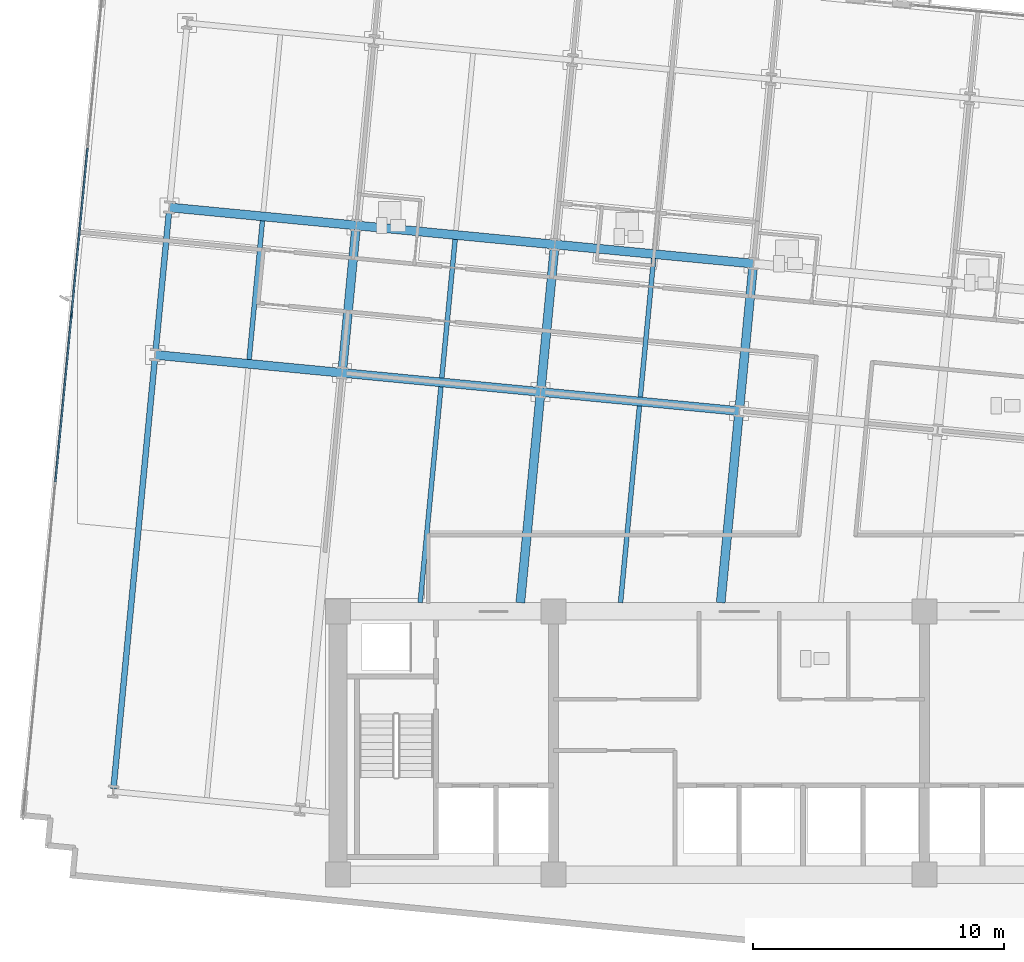
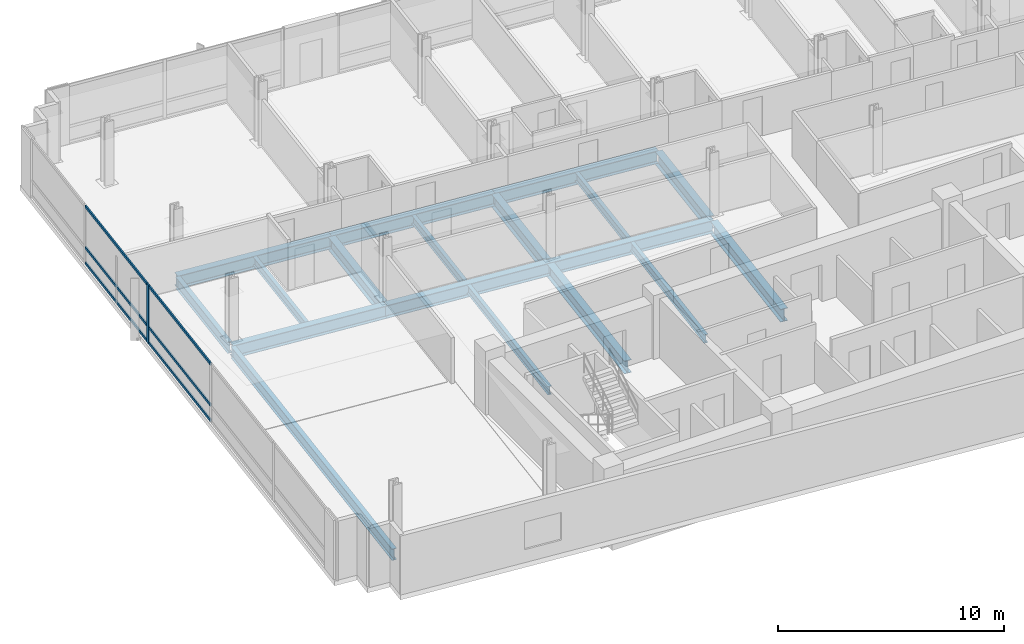
# One storey, part 4 of 17: 18 beams, 7 members, 1 element without a shape of its own.
"""IFC4 building model written with IfcOpenShell, lengths in metres."""

from ifc_helpers import new_model, si_unit, direction, frame, origin, origin_2d, place, context, subcontext, project, spatial, rectangle, i_section, extrude, material, material_profile, profile_set, type_object, element, aggregate, save


model = new_model("IFC4")

# Units and contexts
model_context = context("Model", 3, precision=1e-05, world=origin(), true_north=direction((0.0, 1.0)))
body_context = subcontext(model_context, "Body", "Model", "MODEL_VIEW")
ifc_project = project(units=[si_unit("LENGTHUNIT", "METRE"), si_unit("AREAUNIT", "SQUARE_METRE"), si_unit("VOLUMEUNIT", "CUBIC_METRE"), si_unit("PLANEANGLEUNIT", "RADIAN"), si_unit("MASSUNIT", "GRAM", prefix="KILO")], contexts=[model_context])

# Site, building, storey
site_placement = place(None, origin())
site = spatial("IfcSite", under=ifc_project, at=site_placement, CompositionType="ELEMENT")
building_placement = place(site_placement, origin())
building = spatial("IfcBuilding", under=site, at=building_placement, Name="Solmavex Isthmus Hotel", CompositionType="ELEMENT")
storey_placement = place(building_placement, frame((0.0, 0.0, 146.25)))
storey = spatial("IfcBuildingStorey", under=building, at=storey_placement, Name="L39", CompositionType="ELEMENT", Elevation=146.25)

# Beams
ifc_material_1 = material(Name="Steel ASTM A992 Grade 50", Category="steel")
ifc_material_profile_1 = material_profile(ifc_material_1, i_section(OverallWidth=0.354736328125, OverallDepth=0.695556640625, WebThickness=0.015380859375, FlangeThickness=0.02490234375, FilletRadius=0.017822265625, at=origin_2d()), Name="W27X146")
ifc_profile_set_1 = profile_set([ifc_material_profile_1], Name="Steel ASTM A992 Grade 50")
beam_type_1 = type_object("IfcBeamType", Name="BM-BG-W27X146", PredefinedType="BEAM", material=ifc_profile_set_1)
beam_1_placement = place(storey_placement, frame((-23.291015625, 7.733154296875, -0.607666015625), z_axis=(0.995395279593, -0.095855293875, 0.0), x_axis=(0.095855293875, 0.995395279593, 0.0)))
element("IfcBeam", 1, at=beam_1_placement, inside=storey, type_object=beam_type_1, Name="Floor Girder L39-UG03", PredefinedType="BEAM", context=body_context, shape_type="SweptSolid", body=[
    extrude(i_section(OverallWidth=0.354736328125, OverallDepth=0.695556640625, WebThickness=0.015380859375, FlangeThickness=0.02490234375, FilletRadius=0.017822265625, at=origin_2d()), origin(), (0.0, 0.0, 1.0), 7.488037109375),
])
beam_2_placement = place(storey_placement, frame((-15.83740234375, 7.015380859375, -0.607666015625), z_axis=(0.995397158178, -0.095835783981, 0.0), x_axis=(0.095835783981, 0.995397158178, 0.0)))
element("IfcBeam", 2, at=beam_2_placement, inside=storey, type_object=beam_type_1, Name="Floor Girder L39-UG04", PredefinedType="BEAM", context=body_context, shape_type="SweptSolid", body=[
    extrude(i_section(OverallWidth=0.354736328125, OverallDepth=0.695556640625, WebThickness=0.015380859375, FlangeThickness=0.02490234375, FilletRadius=0.017822265625, at=origin_2d()), origin(), (0.0, 0.0, 1.0), 7.955810546875),
])
beam_3_placement = place(storey_placement, frame((-7.918212890625, 6.2529296875, -0.607666015625), z_axis=(0.995394512348, -0.095863260885, 0.0), x_axis=(0.095863260885, 0.995394512348, 0.0)))
element("IfcBeam", 3, at=beam_3_placement, inside=storey, type_object=beam_type_1, Name="Floor Girder L39-UG05", PredefinedType="BEAM", context=body_context, shape_type="SweptSolid", body=[
    extrude(i_section(OverallWidth=0.354736328125, OverallDepth=0.695556640625, WebThickness=0.015380859375, FlangeThickness=0.02490234375, FilletRadius=0.017822265625, at=origin_2d()), origin(), (0.0, 0.0, 1.0), 7.9560546875),
])
beam_4_placement = place(storey_placement, frame((-22.724853515625, 13.614013671875, -0.607666015625), z_axis=(0.995395279593, -0.095855293875, 0.0), x_axis=(0.095855293875, 0.995395279593, 0.0)))
element("IfcBeam", 4, at=beam_4_placement, inside=storey, type_object=beam_type_1, Name="Floor Girder L39-UG09", PredefinedType="BEAM", context=body_context, shape_type="SweptSolid", body=[
    extrude(i_section(OverallWidth=0.354736328125, OverallDepth=0.695556640625, WebThickness=0.015380859375, FlangeThickness=0.02490234375, FilletRadius=0.017822265625, at=origin_2d()), origin(), (0.0, 0.0, 1.0), 7.488037109375),
])
for number, where, z_axis, x_axis, name in (
    (5, (-15.271240234375, 12.896240234375, -0.607666015625), (0.995397440011, -0.095832856685, 0.0), (0.095832856685, 0.995397440011, 0.0), "Floor Girder L39-UG10"),
    (6, (-7.351806640625, 12.1337890625, -0.607666015625), (0.995394512348, -0.095863260885, 0.0), (0.095863260885, 0.995394512348, 0.0), "Floor Girder L39-UG11"),
):
    element("IfcBeam", number, at=place(storey_placement, frame(where, z_axis=z_axis, x_axis=x_axis)), inside=storey, type_object=beam_type_1, Name=name, PredefinedType="BEAM", context=body_context, shape_type="SweptSolid", body=[
        extrude(i_section(OverallWidth=0.354736328125, OverallDepth=0.695556640625, WebThickness=0.015380859375, FlangeThickness=0.02490234375, FilletRadius=0.017822265625, at=origin_2d()), origin(), (0.0, 0.0, 1.0), 7.9560546875),
    ])
beam_5_placement = place(storey_placement, frame((-15.820556640625, 7.19189453125, -0.607666015625), z_axis=(0.095838058801, 0.995396939158, 0.0), x_axis=(-0.995396939158, 0.095838058801, 0.0)))
element("IfcBeam", 7, at=beam_5_placement, inside=storey, type_object=beam_type_1, Name="Floor Beam L39-VG25", PredefinedType="BEAM", context=body_context, shape_type="SweptSolid", body=[
    extrude(i_section(OverallWidth=0.354736328125, OverallDepth=0.695556640625, WebThickness=0.015380859375, FlangeThickness=0.02490234375, FilletRadius=0.017822265625, at=origin_2d()), origin(), (0.0, 0.0, 1.0), 5.553466796875),
])
beam_6_placement = place(storey_placement, frame((-8.727294921875, -2.14990234375, -0.607666015625), z_axis=(0.095861573524, 0.995394674851, 0.0), x_axis=(-0.995394674851, 0.095861573524, 0.0)))
element("IfcBeam", 8, at=beam_6_placement, inside=storey, type_object=beam_type_1, Name="Floor Beam L39-VG27", PredefinedType="BEAM", context=body_context, shape_type="SweptSolid", body=[
    extrude(i_section(OverallWidth=0.354736328125, OverallDepth=0.695556640625, WebThickness=0.015380859375, FlangeThickness=0.02490234375, FilletRadius=0.017822265625, at=origin_2d()), origin(), (0.0, 0.0, 1.0), 8.264404296875),
])
beam_7_placement = place(storey_placement, frame((-7.901123046875, 6.429443359375, -0.607666015625), z_axis=(0.095842252862, 0.99539653534, 0.0), x_axis=(-0.99539653534, 0.095842252862, 0.0)))
element("IfcBeam", 9, at=beam_7_placement, inside=storey, type_object=beam_type_1, Name="Floor Beam L39-VG28", PredefinedType="BEAM", context=body_context, shape_type="SweptSolid", body=[
    extrude(i_section(OverallWidth=0.354736328125, OverallDepth=0.695556640625, WebThickness=0.015380859375, FlangeThickness=0.02490234375, FilletRadius=0.017822265625, at=origin_2d()), origin(), (0.0, 0.0, 1.0), 5.55322265625),
])
beam_8_placement = place(storey_placement, frame((-0.734375, -2.14990234375, -0.607666015625), z_axis=(0.095856963455, 0.995395118813, 0.0), x_axis=(-0.995395118813, 0.095856963455, 0.0)))
element("IfcBeam", 10, at=beam_8_placement, inside=storey, type_object=beam_type_1, Name="Floor Beam L39-VG30", PredefinedType="BEAM", context=body_context, shape_type="SweptSolid", body=[
    extrude(i_section(OverallWidth=0.354736328125, OverallDepth=0.695556640625, WebThickness=0.015380859375, FlangeThickness=0.02490234375, FilletRadius=0.017822265625, at=origin_2d()), origin(), (0.0, 0.0, 1.0), 7.498046875),
])
beam_9_placement = place(storey_placement, frame((0.018310546875, 5.6669921875, -0.607666015625), z_axis=(0.095842252862, 0.99539653534, 0.0), x_axis=(-0.99539653534, 0.095842252862, 0.0)))
element("IfcBeam", 11, at=beam_9_placement, inside=storey, type_object=beam_type_1, Name="Floor Beam L39-VG31", PredefinedType="BEAM", context=body_context, shape_type="SweptSolid", body=[
    extrude(i_section(OverallWidth=0.354736328125, OverallDepth=0.695556640625, WebThickness=0.015380859375, FlangeThickness=0.02490234375, FilletRadius=0.017822265625, at=origin_2d()), origin(), (0.0, 0.0, 1.0), 5.55322265625),
])
ifc_material_profile_2 = material_profile(ifc_material_1, i_section(OverallWidth=0.1904296875, OverallDepth=0.456787109375, WebThickness=0.009033203125, FlangeThickness=0.014404296875, FilletRadius=0.0126953125, at=origin_2d()), Name="W18X50")
ifc_profile_set_2 = profile_set([ifc_material_profile_2], Name="Steel ASTM A992 Grade 50")
beam_type_2 = type_object("IfcBeamType", Name="BM-BJ-W18X50", PredefinedType="JOIST", material=ifc_profile_set_2)
beam_10_placement = place(storey_placement, frame((-19.547119140625, 7.55078125, -0.488525390625), z_axis=(0.095842252862, 0.99539653534, 0.0), x_axis=(-0.99539653534, 0.095842252862, 0.0)))
element("IfcBeam", 12, at=beam_10_placement, inside=storey, type_object=beam_type_2, Name="Secondary Floor Joist L39-J02", PredefinedType="JOIST", context=body_context, shape_type="SweptSolid", body=[
    extrude(i_section(OverallWidth=0.1904296875, OverallDepth=0.456787109375, WebThickness=0.009033203125, FlangeThickness=0.014404296875, FilletRadius=0.0126953125, at=origin_2d()), origin(), (0.0, 0.0, 1.0), 5.55322265625),
])
beam_11_placement = place(storey_placement, frame((-12.7236328125, -2.14990234375, -0.488525390625), z_axis=(0.095852279322, 0.995395569886, 0.0), x_axis=(-0.995395569886, 0.095852279322, 0.0)))
element("IfcBeam", 13, at=beam_11_placement, inside=storey, type_object=beam_type_2, Name="Secondary Floor Joist L39-J04", PredefinedType="JOIST", context=body_context, shape_type="SweptSolid", body=[
    extrude(i_section(OverallWidth=0.1904296875, OverallDepth=0.456787109375, WebThickness=0.009033203125, FlangeThickness=0.014404296875, FilletRadius=0.0126953125, at=origin_2d()), origin(), (0.0, 0.0, 1.0), 8.647216796875),
])
beam_12_placement = place(storey_placement, frame((-11.86083984375, 6.810791015625, -0.488525390625), z_axis=(0.095842252862, 0.99539653534, 0.0), x_axis=(-0.99539653534, 0.095842252862, 0.0)))
element("IfcBeam", 14, at=beam_12_placement, inside=storey, type_object=beam_type_2, Name="Secondary Floor Joist L39-J05", PredefinedType="JOIST", context=body_context, shape_type="SweptSolid", body=[
    extrude(i_section(OverallWidth=0.1904296875, OverallDepth=0.456787109375, WebThickness=0.009033203125, FlangeThickness=0.014404296875, FilletRadius=0.0126953125, at=origin_2d()), origin(), (0.0, 0.0, 1.0), 5.55322265625),
])
beam_13_placement = place(storey_placement, frame((-4.730712890625, -2.14990234375, -0.488525390625), z_axis=(0.09584403416, 0.995396363825, 0.0), x_axis=(-0.995396363825, 0.09584403416, 0.0)))
element("IfcBeam", 15, at=beam_13_placement, inside=storey, type_object=beam_type_2, Name="Secondary Floor Joist L39-J07", PredefinedType="JOIST", context=body_context, shape_type="SweptSolid", body=[
    extrude(i_section(OverallWidth=0.1904296875, OverallDepth=0.456787109375, WebThickness=0.009033203125, FlangeThickness=0.014404296875, FilletRadius=0.0126953125, at=origin_2d()), origin(), (0.0, 0.0, 1.0), 7.88134765625),
])
beam_14_placement = place(storey_placement, frame((-3.94140625, 6.048095703125, -0.488525390625), z_axis=(0.095838058801, 0.995396939158, 0.0), x_axis=(-0.995396939158, 0.095838058801, 0.0)))
element("IfcBeam", 16, at=beam_14_placement, inside=storey, type_object=beam_type_2, Name="Secondary Floor Joist L39-J08", PredefinedType="JOIST", context=body_context, shape_type="SweptSolid", body=[
    extrude(i_section(OverallWidth=0.1904296875, OverallDepth=0.456787109375, WebThickness=0.009033203125, FlangeThickness=0.014404296875, FilletRadius=0.0126953125, at=origin_2d()), origin(), (0.0, 0.0, 1.0), 5.553466796875),
])
ifc_material_profile_3 = material_profile(ifc_material_1, i_section(OverallWidth=0.230224609375, OverallDepth=0.617431640625, WebThickness=0.01318359375, FlangeThickness=0.022216796875, FilletRadius=0.01513671875, at=origin_2d()), Name="W24X94")
ifc_profile_set_3 = profile_set([ifc_material_profile_3], Name="Steel ASTM A992 Grade 50")
beam_type_3 = type_object("IfcBeamType", Name="BM-SP-W24X94", PredefinedType="SPANDREL", material=ifc_profile_set_3)
beam_15_placement = place(storey_placement, frame((-24.957275390625, -9.571533203125, -0.56884765625), z_axis=(0.095840821687, 0.99539667314, 0.0), x_axis=(-0.99539667314, 0.095840821687, 0.0)))
element("IfcBeam", 17, at=beam_15_placement, inside=storey, type_object=beam_type_3, Name="Floor Beam L39-VG21", PredefinedType="SPANDREL", context=body_context, shape_type="SweptSolid", body=[
    extrude(i_section(OverallWidth=0.230224609375, OverallDepth=0.617431640625, WebThickness=0.01318359375, FlangeThickness=0.022216796875, FilletRadius=0.01513671875, at=origin_2d()), origin(), (0.0, 0.0, 1.0), 17.207275390625),
])
beam_16_placement = place(storey_placement, frame((-23.27392578125, 7.90966796875, -0.56884765625), z_axis=(0.095842252862, 0.99539653534, 0.0), x_axis=(-0.99539653534, 0.095842252862, 0.0)))
element("IfcBeam", 18, at=beam_16_placement, inside=storey, type_object=beam_type_3, Name="Floor Beam L39-VG22", PredefinedType="SPANDREL", context=body_context, shape_type="SweptSolid", body=[
    extrude(i_section(OverallWidth=0.230224609375, OverallDepth=0.617431640625, WebThickness=0.01318359375, FlangeThickness=0.022216796875, FilletRadius=0.01513671875, at=origin_2d()), origin(), (0.0, 0.0, 1.0), 5.55322265625),
])

# Curtain wall, members
ifc_material_2 = material(Name="Aluminium alloy 6063-T6", Category="aluminium")
curtain_wall_type = type_object("IfcCurtainWallType", Name="CW-SYS-03", PredefinedType="NOTDEFINED", material=ifc_material_2)
curtain_wall_placement = place(storey_placement, origin())
curtain_wall = element("IfcCurtainWall", 19, at=curtain_wall_placement, inside=storey, type_object=curtain_wall_type, Name="Stick Curtain Wall CWL-L39-W1", PredefinedType="NOTDEFINED")
ifc_material_profile_4 = material_profile(ifc_material_2, rectangle(XDim=0.070068359375, YDim=0.179931640625, at=origin_2d()), Name="CWM-70X180")
ifc_profile_set_4 = profile_set([ifc_material_profile_4], Name="Aluminium alloy 6063-T6")
member_type_1 = type_object("IfcMemberType", Name="CW-SYS-03-MUL", PredefinedType="MULLION", material=ifc_profile_set_4)
member_1_placement = place(storey_placement, frame((-26.63427734375, 9.32080078125, 0.0), z_axis=(0.0, 0.0, 1.0), x_axis=(-0.995396190038, 0.09584583902, 0.0)))
member_1 = element("IfcMember", 20, at=member_1_placement, type_object=member_type_1, Name="CW-03 mullion 4", PredefinedType="MULLION", context=body_context, shape_type="SweptSolid", body=[
    extrude(rectangle(XDim=0.070068359375, YDim=0.179931640625, at=origin_2d()), origin(), (0.0, 0.0, 1.0), 3.18994140625),
])
ifc_material_profile_5 = material_profile(ifc_material_2, rectangle(XDim=0.070068359375, YDim=0.139892578125, at=origin_2d()), Name="CWT-70X140")
ifc_profile_set_5 = profile_set([ifc_material_profile_5], Name="Aluminium alloy 6063-T6")
member_type_2 = type_object("IfcMemberType", Name="CW-SYS-03-TRN", PredefinedType="USERDEFINED", material=ifc_profile_set_5)
member_2_placement = place(storey_placement, frame((-27.27490234375, 2.666748046875, 0.070068359375), z_axis=(0.095857212138, 0.995395094865, 0.0), x_axis=(-0.995395094865, 0.095857212138, 0.0)))
member_2 = element("IfcMember", 21, at=member_2_placement, type_object=member_type_2, Name="CW-03 transom 3.1", ObjectType="TRANSOM", PredefinedType="USERDEFINED", context=body_context, shape_type="SweptSolid", body=[
    extrude(rectangle(XDim=0.070068359375, YDim=0.139892578125, at=origin_2d()), origin(), (0.0, 0.0, 1.0), 6.64990234375),
])
member_3_placement = place(storey_placement, frame((-27.27490234375, 2.666748046875, 0.89990234375), z_axis=(0.095857212138, 0.995395094865, 0.0), x_axis=(-0.995395094865, 0.095857212138, 0.0)))
member_3 = element("IfcMember", 22, at=member_3_placement, type_object=member_type_2, Name="CW-03 transom 3.2", ObjectType="TRANSOM", PredefinedType="USERDEFINED", context=body_context, shape_type="SweptSolid", body=[
    extrude(rectangle(XDim=0.070068359375, YDim=0.139892578125, at=origin_2d()), origin(), (0.0, 0.0, 1.0), 6.64990234375),
])
member_4_placement = place(storey_placement, frame((-27.27490234375, 2.666748046875, 3.1201171875), z_axis=(0.095857212138, 0.995395094865, 0.0), x_axis=(-0.995395094865, 0.095857212138, 0.0)))
member_4 = element("IfcMember", 23, at=member_4_placement, type_object=member_type_2, Name="CW-03 transom 3.3", ObjectType="TRANSOM", PredefinedType="USERDEFINED", context=body_context, shape_type="SweptSolid", body=[
    extrude(rectangle(XDim=0.070068359375, YDim=0.139892578125, at=origin_2d()), origin(), (0.0, 0.0, 1.0), 6.64990234375),
])
member_5_placement = place(storey_placement, frame((-26.630859375, 9.355712890625, 0.070068359375), z_axis=(0.095857212138, 0.995395094865, 0.0), x_axis=(-0.995395094865, 0.095857212138, 0.0)))
member_5 = element("IfcMember", 24, at=member_5_placement, type_object=member_type_2, Name="CW-03 transom 4.1", ObjectType="TRANSOM", PredefinedType="USERDEFINED", context=body_context, shape_type="SweptSolid", body=[
    extrude(rectangle(XDim=0.070068359375, YDim=0.139892578125, at=origin_2d()), origin(), (0.0, 0.0, 1.0), 6.64990234375),
])
member_6_placement = place(storey_placement, frame((-26.630859375, 9.355712890625, 0.89990234375), z_axis=(0.095857212138, 0.995395094865, 0.0), x_axis=(-0.995395094865, 0.095857212138, 0.0)))
member_6 = element("IfcMember", 25, at=member_6_placement, type_object=member_type_2, Name="CW-03 transom 4.2", ObjectType="TRANSOM", PredefinedType="USERDEFINED", context=body_context, shape_type="SweptSolid", body=[
    extrude(rectangle(XDim=0.070068359375, YDim=0.139892578125, at=origin_2d()), origin(), (0.0, 0.0, 1.0), 6.64990234375),
])
member_7_placement = place(storey_placement, frame((-26.630859375, 9.355712890625, 3.1201171875), z_axis=(0.095857212138, 0.995395094865, 0.0), x_axis=(-0.995395094865, 0.095857212138, 0.0)))
member_7 = element("IfcMember", 26, at=member_7_placement, type_object=member_type_2, Name="CW-03 transom 4.3", ObjectType="TRANSOM", PredefinedType="USERDEFINED", context=body_context, shape_type="SweptSolid", body=[
    extrude(rectangle(XDim=0.070068359375, YDim=0.139892578125, at=origin_2d()), origin(), (0.0, 0.0, 1.0), 6.64990234375),
])
aggregate(curtain_wall, [member_1, member_2, member_3, member_4, member_5, member_6, member_7])

save(model, "model.ifc")
